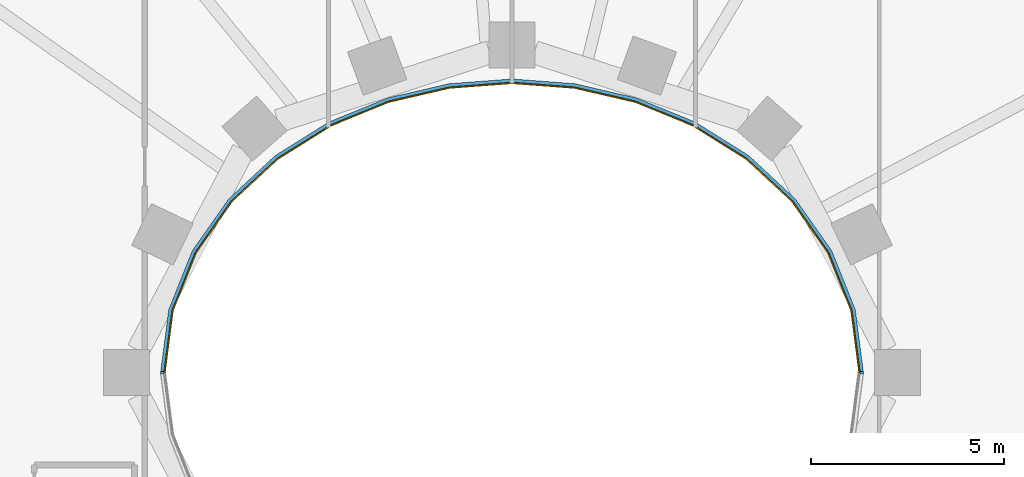
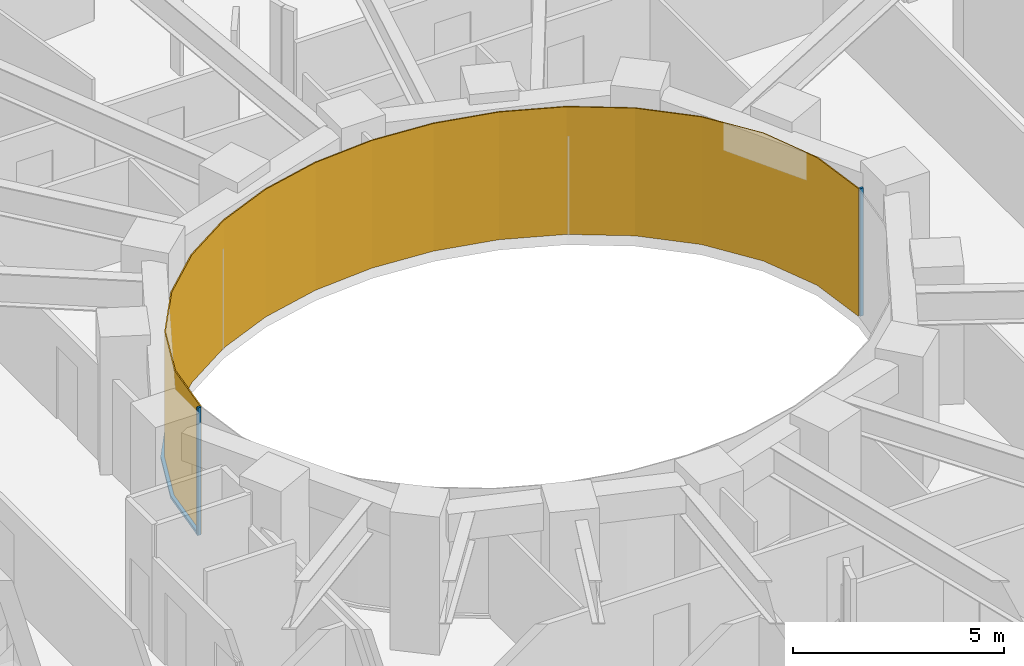
# One storey, part 13 of 20: 3 members, 1 curtain wall.
"""IFC4 building model written with IfcOpenShell, lengths in metres."""

from ifc_helpers import new_model, si_unit, direction, frame, origin, origin_2d, place, context, subcontext, project, spatial, polyline, rectangle, outline, extrude, material, layer, layer_set, material_profile, profile_set, type_object, element, aggregate, save


model = new_model("IFC4")

# Units and contexts
model_context = context("Model", 3, precision=1e-05, world=origin(), true_north=direction((0.0, 1.0)))
body_context = subcontext(model_context, "Body", "Model", "MODEL_VIEW")
ifc_project = project(units=[si_unit("LENGTHUNIT", "METRE"), si_unit("AREAUNIT", "SQUARE_METRE"), si_unit("VOLUMEUNIT", "CUBIC_METRE"), si_unit("PLANEANGLEUNIT", "RADIAN"), si_unit("MASSUNIT", "GRAM", prefix="KILO")], contexts=[model_context])

# Member
ifc_material_1 = material(Name="Steel S355 fire-resisting frame", Category="steel")
ifc_material_profile = material_profile(ifc_material_1, rectangle(XDim=0.090087890625, YDim=0.06005859375, at=origin_2d()), Name="90x60")
ifc_profile_set = profile_set([ifc_material_profile], Name="Steel S355 fire-resisting frame")
member_type_1 = type_object("IfcMemberType", Name="ENV-MULLION-W-90", PredefinedType="MULLION", material=ifc_profile_set)
site_placement = place(None, origin())
building_placement = place(site_placement, origin())
storey_placement = place(building_placement, frame((0.0, 0.0, 88.0)))
member_1_placement = place(storey_placement, frame((9.076904296875, 0.0, 0.0), z_axis=(0.0, 0.0, 1.0), x_axis=(1.0, 0.0, 0.0)))
member_1 = element("IfcMember", 1, at=member_1_placement, type_object=member_type_1, Name="Mullion W well vertex 01", PredefinedType="MULLION", context=body_context, shape_type="SweptSolid", body=[
    extrude(rectangle(XDim=0.090087890625, YDim=0.06005859375, at=origin_2d()), origin(), (0.0, 0.0, 1.0), 3.699951171875),
])

member_2_placement = place(storey_placement, frame((-9.076904296875, 0.0, 0.0), z_axis=(0.0, 0.0, 1.0), x_axis=(-1.0, 0.0, 0.0)))
member_2 = element("IfcMember", 2, at=member_2_placement, type_object=member_type_1, Name="Mullion W well vertex 17", PredefinedType="MULLION", context=body_context, shape_type="SweptSolid", body=[
    extrude(rectangle(XDim=0.090087890625, YDim=0.06005859375, at=origin_2d()), origin(), (0.0, 0.0, 1.0), 3.699951171875),
])

ifc_material_2 = material(Name="Steel S355 fire-resisting frame", Category="steel")
member_type_2 = type_object("IfcMemberType", Name="ENV-TRANSOM-W", PredefinedType="USERDEFINED", material=ifc_material_2)
member_3_placement = place(storey_placement, origin())
member_3 = element("IfcMember", 3, at=member_3_placement, type_object=member_type_2, Name="Transom W well 01-17", ObjectType="TRANSOM", PredefinedType="USERDEFINED", context=body_context, shape_type="SweptSolid", body=[
    extrude(outline(polyline([(9.119384765625, 0.02783203125), (8.910400390625, 1.63623046875), (8.29833984375, 3.167236328125), (7.35107421875, 4.5146484375), (6.1455078125, 5.6337890625), (4.75341796875, 6.50634765625), (3.233642578125, 7.127685546875), (1.635498046875, 7.498779296875), (0.0, 7.622314453125), (-1.635498046875, 7.498779296875), (-3.233642578125, 7.127685546875), (-4.75341796875, 6.50634765625), (-6.1455078125, 5.6337890625), (-7.35107421875, 4.5146484375), (-8.29833984375, 3.167236328125), (-8.910400390625, 1.63623046875), (-9.119384765625, 0.02783203125), (-9.02880859375, 0.02783203125), (-8.822509765625, 1.61328125), (-8.21875, 3.124267578125), (-7.282958984375, 4.455078125), (-6.090576171875, 5.56201171875), (-4.712158203125, 6.426025390625), (-3.206298828125, 7.04150390625), (-1.621826171875, 7.40966796875), (0.0, 7.531982421875), (1.621826171875, 7.40966796875), (3.206298828125, 7.04150390625), (4.712158203125, 6.426025390625), (6.090576171875, 5.56201171875), (7.282958984375, 4.455078125), (8.21875, 3.124267578125), (8.822509765625, 1.61328125), (9.02880859375, 0.02783203125), (9.119384765625, 0.02783203125)])), origin(), (0.0, 0.0, 1.0), 0.080078125),
])

# Site, building, storey
site = spatial("IfcSite", under=ifc_project, at=site_placement, CompositionType="ELEMENT")
building = spatial("IfcBuilding", under=site, at=building_placement, Name="Noorbagh Ring Tower", CompositionType="ELEMENT")
storey = spatial("IfcBuildingStorey", under=building, at=storey_placement, Name="L19", CompositionType="ELEMENT", Elevation=88.0)

# Curtain wall
ifc_material_3 = material(Name="Glass fire-resisting E60 laminated", Category="glass")
ifc_layer = layer(ifc_material_3, 0.031982421875)
ifc_layer_set = layer_set([ifc_layer], Name="Glass fire-resisting E60 laminated")
curtain_wall_type = type_object("IfcCurtainWallType", Name="ENV-CW-W", PredefinedType="NOTDEFINED", material=ifc_layer_set)
curtain_wall_placement = place(storey_placement, origin())
curtain_wall = element("IfcCurtainWall", 4, at=curtain_wall_placement, inside=storey, type_object=curtain_wall_type, Name="Curtain wall W W01", PredefinedType="NOTDEFINED", context=body_context, shape_type="SweptSolid", body=[
    extrude(outline(polyline([(9.0322265625, 0.0), (8.822509765625, 1.61328125), (8.21875, 3.124267578125), (7.282958984375, 4.455078125), (6.090576171875, 5.56201171875), (4.712158203125, 6.426025390625), (3.206298828125, 7.04150390625), (1.621826171875, 7.40966796875), (0.0, 7.531982421875), (-1.621826171875, 7.40966796875), (-3.206298828125, 7.04150390625), (-4.712158203125, 6.426025390625), (-6.090576171875, 5.56201171875), (-7.282958984375, 4.455078125), (-8.21875, 3.124267578125), (-8.822509765625, 1.61328125), (-9.0322265625, 0.0), (-9.0, 0.0), (-8.79150390625, 1.605224609375), (-8.1904296875, 3.10888671875), (-7.2587890625, 4.43408203125), (-6.071044921875, 5.53662109375), (-4.697509765625, 6.3974609375), (-3.196533203125, 7.010986328125), (-1.6171875, 7.3779296875), (0.0, 7.5), (1.6171875, 7.3779296875), (3.196533203125, 7.010986328125), (4.697509765625, 6.3974609375), (6.071044921875, 5.53662109375), (7.2587890625, 4.43408203125), (8.1904296875, 3.10888671875), (8.79150390625, 1.605224609375), (9.0, 0.0), (9.0322265625, 0.0)])), origin(), (0.0, 0.0, 1.0), 3.699951171875),
])

aggregate(curtain_wall, [member_1, member_2, member_3])

save(model, "model.ifc")
